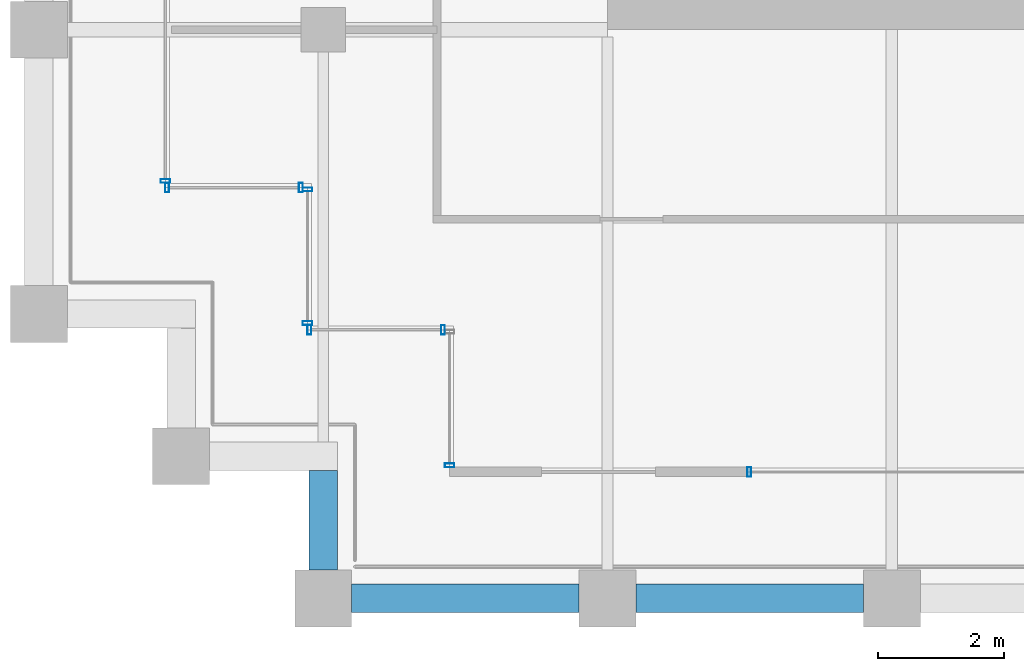
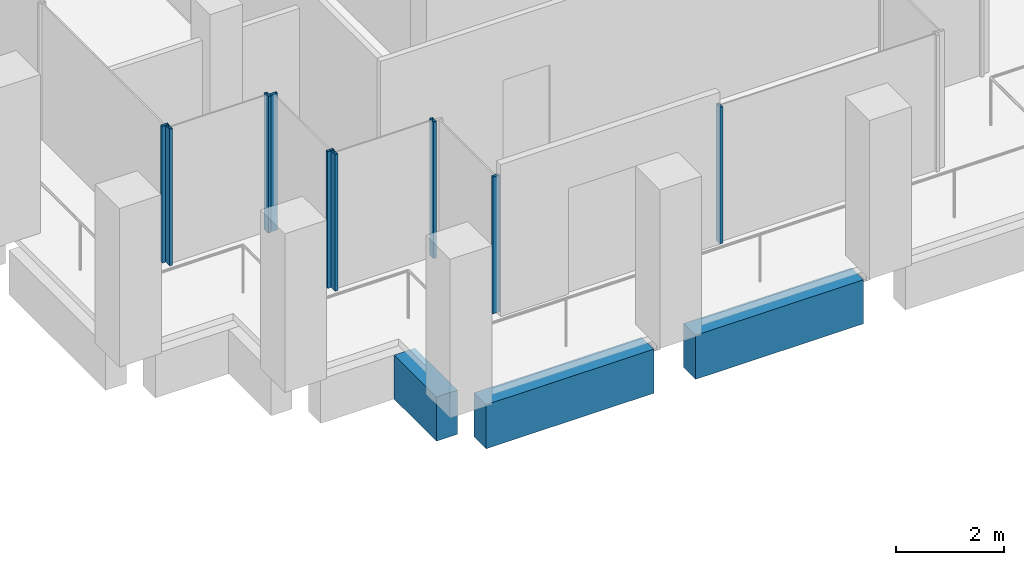
# One storey, part 28 of 40: 9 members, 3 beams, 6 elements without a shape of their own.
"""IFC4 building model written with IfcOpenShell, lengths in metres."""

from ifc_helpers import new_model, si_unit, direction, frame, origin, origin_2d, place, context, subcontext, project, spatial, rectangle, hollow_rectangle, extrude, material, material_profile, profile_set, type_object, element, aggregate, save


model = new_model("IFC4")

# Units and contexts
model_context = context("Model", 3, precision=1e-05, world=origin(), true_north=direction((0.0, 1.0)))
body_context = subcontext(model_context, "Body", "Model", "MODEL_VIEW")
ifc_project = project(units=[si_unit("LENGTHUNIT", "METRE"), si_unit("AREAUNIT", "SQUARE_METRE"), si_unit("VOLUMEUNIT", "CUBIC_METRE"), si_unit("PLANEANGLEUNIT", "RADIAN"), si_unit("MASSUNIT", "GRAM", prefix="KILO")], contexts=[model_context])

# Site, building, storey
site_placement = place(None, origin())
site = spatial("IfcSite", under=ifc_project, at=site_placement, CompositionType="ELEMENT")
building_placement = place(site_placement, origin())
building = spatial("IfcBuilding", under=site, at=building_placement, Name="Altepetl Exchange Towers", CompositionType="ELEMENT")
storey_placement = place(building_placement, frame((0.0, 0.0, 161.800048828125)))
storey = spatial("IfcBuildingStorey", under=building, at=storey_placement, Name="L40", CompositionType="ELEMENT", Elevation=161.800048828125)

# Curtain wall, member
ifc_material_1 = material(Name="Aluminium 6063-T6 glazing", Category="aluminium")
curtain_wall_type = type_object("IfcCurtainWallType", Name="Loggia glazing system", PredefinedType="NOTDEFINED", material=ifc_material_1)
curtain_wall_1_placement = place(storey_placement, origin())
curtain_wall_1 = element("IfcCurtainWall", 1, at=curtain_wall_1_placement, inside=storey, type_object=curtain_wall_type, Name="CW1 run", PredefinedType="NOTDEFINED")
ifc_material_2 = material(Name="Aluminium 6063-T6", Category="aluminium")
ifc_material_profile_1 = material_profile(ifc_material_2, hollow_rectangle(XDim=0.06005859375, YDim=0.14990234375, WallThickness=0.0029296875, at=origin_2d()), Name="Mullion 60x150 aluminium")
ifc_profile_set_1 = profile_set([ifc_material_profile_1], Name="Aluminium 6063-T6")
member_type = type_object("IfcMemberType", Name="Mullion 60x150 aluminium", PredefinedType="MULLION", material=ifc_profile_set_1)
member_1_placement = place(storey_placement, frame((101.0, 29.10498046875, 0.0), z_axis=(0.0, 0.0, 1.0), x_axis=(0.0, -1.0, 0.0)))
member_1 = element("IfcMember", 2, at=member_1_placement, type_object=member_type, Name="MU1 mullion", PredefinedType="MULLION", context=body_context, shape_type="SweptSolid", body=[
    extrude(hollow_rectangle(XDim=0.06005859375, YDim=0.14990234375, WallThickness=0.0029296875, at=origin_2d()), origin(), (0.0, 0.0, 1.0), 3.099853515625),
])
aggregate(curtain_wall_1, [member_1])

curtain_wall_2_placement = place(storey_placement, origin())
curtain_wall_2 = element("IfcCurtainWall", 3, at=curtain_wall_2_placement, inside=storey, type_object=curtain_wall_type, Name="CW1 run", PredefinedType="NOTDEFINED")
member_2_placement = place(storey_placement, frame((105.742431640625, 29.0, 0.0)))
member_2 = element("IfcMember", 4, at=member_2_placement, type_object=member_type, Name="MU1 mullion", PredefinedType="MULLION", context=body_context, shape_type="SweptSolid", body=[
    extrude(hollow_rectangle(XDim=0.06005859375, YDim=0.14990234375, WallThickness=0.0029296875, at=origin_2d()), origin(), (0.0, 0.0, 1.0), 3.099853515625),
])
aggregate(curtain_wall_2, [member_2])

curtain_wall_3_placement = place(storey_placement, origin())
curtain_wall_3 = element("IfcCurtainWall", 5, at=curtain_wall_3_placement, inside=storey, type_object=curtain_wall_type, Name="CW1 run", PredefinedType="NOTDEFINED")
member_3_placement = place(storey_placement, frame((96.5, 33.60498046875, 0.0), z_axis=(0.0, 0.0, 1.0), x_axis=(0.0, -1.0, 0.0)))
member_3 = element("IfcMember", 6, at=member_3_placement, type_object=member_type, Name="MU1 mullion", PredefinedType="MULLION", context=body_context, shape_type="SweptSolid", body=[
    extrude(hollow_rectangle(XDim=0.06005859375, YDim=0.14990234375, WallThickness=0.0029296875, at=origin_2d()), origin(), (0.0, 0.0, 1.0), 3.099853515625),
])
aggregate(curtain_wall_3, [member_3])

# Curtain wall, members
curtain_wall_4_placement = place(storey_placement, origin())
curtain_wall_4 = element("IfcCurtainWall", 7, at=curtain_wall_4_placement, inside=storey, type_object=curtain_wall_type, Name="CW1 run", PredefinedType="NOTDEFINED")
member_4_placement = place(storey_placement, frame((96.530029296875, 33.5, 0.0)))
member_4 = element("IfcMember", 8, at=member_4_placement, type_object=member_type, Name="MU1 mullion", PredefinedType="MULLION", context=body_context, shape_type="SweptSolid", body=[
    extrude(hollow_rectangle(XDim=0.06005859375, YDim=0.14990234375, WallThickness=0.0029296875, at=origin_2d()), origin(), (0.0, 0.0, 1.0), 3.099853515625),
])
member_5_placement = place(storey_placement, frame((98.64501953125, 33.5, 0.0)))
member_5 = element("IfcMember", 9, at=member_5_placement, type_object=member_type, Name="MU1 mullion", PredefinedType="MULLION", context=body_context, shape_type="SweptSolid", body=[
    extrude(hollow_rectangle(XDim=0.06005859375, YDim=0.14990234375, WallThickness=0.0029296875, at=origin_2d()), origin(), (0.0, 0.0, 1.0), 3.099853515625),
])
aggregate(curtain_wall_4, [member_4, member_5])

curtain_wall_5_placement = place(storey_placement, origin())
curtain_wall_5 = element("IfcCurtainWall", 10, at=curtain_wall_5_placement, inside=storey, type_object=curtain_wall_type, Name="CW1 run", PredefinedType="NOTDEFINED")
member_6_placement = place(storey_placement, frame((98.75, 33.469970703125, 0.0), z_axis=(0.0, 0.0, 1.0), x_axis=(0.0, -1.0, 0.0)))
member_6 = element("IfcMember", 11, at=member_6_placement, type_object=member_type, Name="MU1 mullion", PredefinedType="MULLION", context=body_context, shape_type="SweptSolid", body=[
    extrude(hollow_rectangle(XDim=0.06005859375, YDim=0.14990234375, WallThickness=0.0029296875, at=origin_2d()), origin(), (0.0, 0.0, 1.0), 3.099853515625),
])
member_7_placement = place(storey_placement, frame((98.75, 31.35498046875, 0.0), z_axis=(0.0, 0.0, 1.0), x_axis=(0.0, -1.0, 0.0)))
member_7 = element("IfcMember", 12, at=member_7_placement, type_object=member_type, Name="MU1 mullion", PredefinedType="MULLION", context=body_context, shape_type="SweptSolid", body=[
    extrude(hollow_rectangle(XDim=0.06005859375, YDim=0.14990234375, WallThickness=0.0029296875, at=origin_2d()), origin(), (0.0, 0.0, 1.0), 3.099853515625),
])
aggregate(curtain_wall_5, [member_6, member_7])

curtain_wall_6_placement = place(storey_placement, origin())
curtain_wall_6 = element("IfcCurtainWall", 13, at=curtain_wall_6_placement, inside=storey, type_object=curtain_wall_type, Name="CW1 run", PredefinedType="NOTDEFINED")
member_8_placement = place(storey_placement, frame((98.780029296875, 31.25, 0.0)))
member_8 = element("IfcMember", 14, at=member_8_placement, type_object=member_type, Name="MU1 mullion", PredefinedType="MULLION", context=body_context, shape_type="SweptSolid", body=[
    extrude(hollow_rectangle(XDim=0.06005859375, YDim=0.14990234375, WallThickness=0.0029296875, at=origin_2d()), origin(), (0.0, 0.0, 1.0), 3.099853515625),
])
member_9_placement = place(storey_placement, frame((100.89501953125, 31.25, 0.0)))
member_9 = element("IfcMember", 15, at=member_9_placement, type_object=member_type, Name="MU1 mullion", PredefinedType="MULLION", context=body_context, shape_type="SweptSolid", body=[
    extrude(hollow_rectangle(XDim=0.06005859375, YDim=0.14990234375, WallThickness=0.0029296875, at=origin_2d()), origin(), (0.0, 0.0, 1.0), 3.099853515625),
])
aggregate(curtain_wall_6, [member_8, member_9])

# Beams
ifc_material_3 = material(Name="Concrete C50/60 precast with tezontle facing", Category="concrete")
ifc_material_profile_2 = material_profile(ifc_material_3, rectangle(XDim=0.449951171875, YDim=1.0, at=origin_2d()), Name="450 x 1000")
ifc_profile_set_2 = profile_set([ifc_material_profile_2], Name="Concrete C50/60 precast with tezontle facing")
beam_type = type_object("IfcBeamType", Name="Spandrel beam 450x1000 tezontle", PredefinedType="SPANDREL", material=ifc_profile_set_2)
for number, where, z_axis, x_axis, name in (
    (16, (99.449951171875, 27.0, -0.650146484375), (1.0, 0.0, 0.0), (0.0, 1.0, 0.0), "sp:B:L40:000"),
    (17, (103.949951171875, 27.0, -0.650146484375), (1.0, 0.0, 0.0), (0.0, 1.0, 0.0), "sp:B:L40:001"),
):
    element("IfcBeam", number, at=place(storey_placement, frame(where, z_axis=z_axis, x_axis=x_axis)), inside=storey, type_object=beam_type, Name=name, PredefinedType="SPANDREL", context=body_context, shape_type="SweptSolid", body=[
        extrude(rectangle(XDim=0.449951171875, YDim=1.0, at=origin_2d()), origin(), (0.0, 0.0, 1.0), 3.60009765625),
    ])
beam_placement = place(storey_placement, frame((99.0, 29.02490234375, -0.650146484375), z_axis=(0.0, -1.0, 0.0), x_axis=(1.0, 0.0, 0.0)))
element("IfcBeam", 18, at=beam_placement, inside=storey, type_object=beam_type, Name="sp:B:L40:023", PredefinedType="SPANDREL", context=body_context, shape_type="SweptSolid", body=[
    extrude(rectangle(XDim=0.449951171875, YDim=1.0, at=origin_2d()), origin(), (0.0, 0.0, 1.0), 1.574951171875),
])

save(model, "model.ifc")
